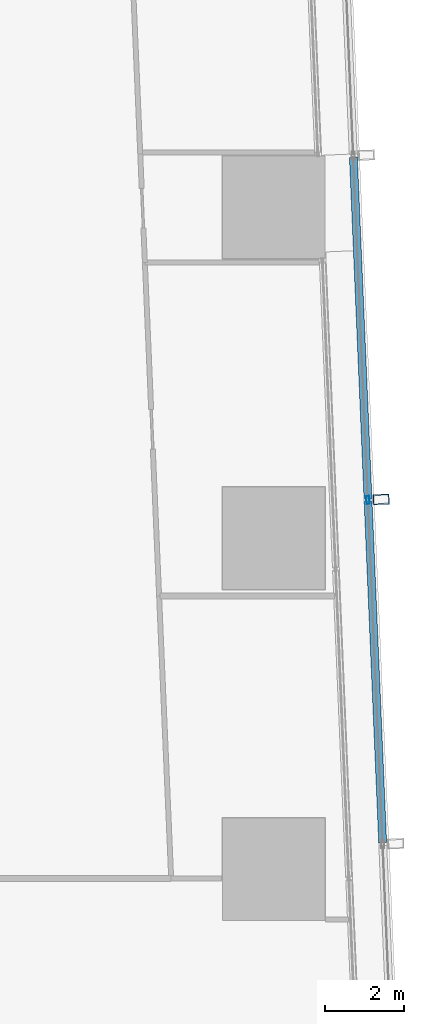
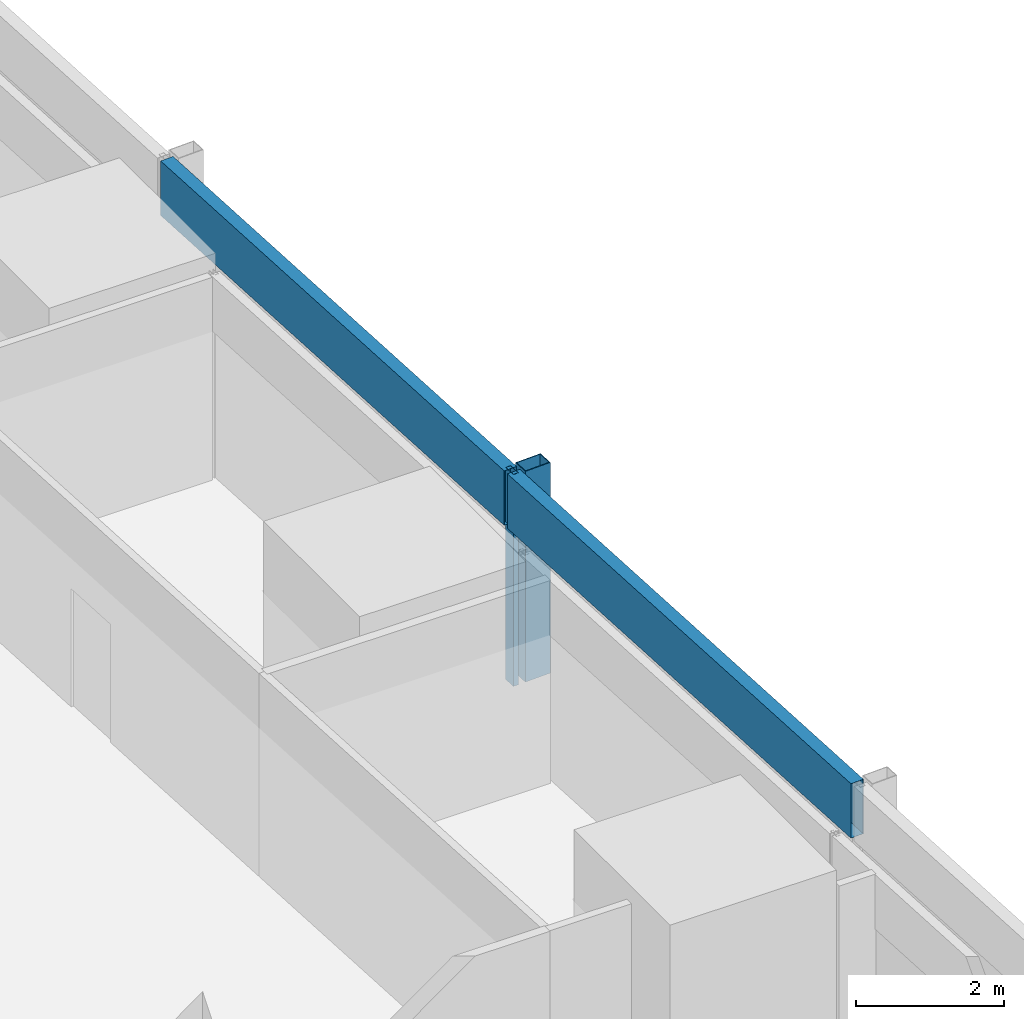
# One storey, part 28 of 46: 4 members, 1 element without a shape of its own.
"""IFC4 building model written with IfcOpenShell, lengths in metres."""

from ifc_helpers import new_model, si_unit, direction, frame, origin, origin_2d, place, context, subcontext, project, spatial, hollow_rectangle, extrude, material, material_profile, profile_set, type_object, element, aggregate, save


model = new_model("IFC4")

# Units and contexts
model_context = context("Model", 3, precision=1e-05, world=origin(), true_north=direction((0.0, 1.0)))
body_context = subcontext(model_context, "Body", "Model", "MODEL_VIEW")
ifc_project = project(units=[si_unit("LENGTHUNIT", "METRE"), si_unit("AREAUNIT", "SQUARE_METRE"), si_unit("VOLUMEUNIT", "CUBIC_METRE"), si_unit("PLANEANGLEUNIT", "RADIAN"), si_unit("MASSUNIT", "GRAM", prefix="KILO")], contexts=[model_context])

# Site, building, storey
site_placement = place(None, origin())
site = spatial("IfcSite", under=ifc_project, at=site_placement, CompositionType="ELEMENT")
building_placement = place(site_placement, origin())
building = spatial("IfcBuilding", under=site, at=building_placement, Name="Rekha Terrace Tower", CompositionType="ELEMENT")
storey_placement = place(building_placement, frame((0.0, 0.0, 29.14990234375)))
storey = spatial("IfcBuildingStorey", under=building, at=storey_placement, Name="L06", CompositionType="ELEMENT", Elevation=29.14990234375)

# Curtain wall, members
ifc_material_1 = material(Name="Aluminium framing", Category="aluminium")
curtain_wall_type = type_object("IfcCurtainWallType", Name="CW2 double skin outer glazing", PredefinedType="USERDEFINED", material=ifc_material_1)
curtain_wall_placement = place(storey_placement, origin())
curtain_wall = element("IfcCurtainWall", 1, at=curtain_wall_placement, inside=storey, type_object=curtain_wall_type, Name="CW2 double skin outer glazing", ObjectType="DOUBLE SKIN OUTER GLAZING", PredefinedType="USERDEFINED")
ifc_material_2 = material(Name="Steel S355 with fluorocarbon finish", Category="steel")
ifc_material_profile_1 = material_profile(ifc_material_2, hollow_rectangle(XDim=0.25, YDim=0.39990234375, WallThickness=0.012451171875, at=origin_2d()), Name="RHS400x250x12.5")
ifc_profile_set_1 = profile_set([ifc_material_profile_1], Name="Steel S355 with fluorocarbon finish")
member_type_1 = type_object("IfcMemberType", Name="BL1 facade blade RHS 400 x 250", PredefinedType="USERDEFINED", material=ifc_profile_set_1)
member_1_placement = place(storey_placement, frame((69.927734375, 42.989013671875, 0.02001953125), z_axis=(0.0, 0.0, 1.0), x_axis=(-0.04269522475, 0.99908814315, 0.0)))
member_1 = element("IfcMember", 2, at=member_1_placement, type_object=member_type_1, Name="Facade blade", ObjectType="FACADE BLADE", PredefinedType="USERDEFINED", context=body_context, shape_type="SweptSolid", body=[
    extrude(hollow_rectangle(XDim=0.25, YDim=0.39990234375, WallThickness=0.012451171875, at=origin_2d()), origin(), (0.0, 0.0, 1.0), 3.47998046875),
])
ifc_material_3 = material(Name="Aluminium mullion section", Category="aluminium")
ifc_material_profile_2 = material_profile(ifc_material_3, hollow_rectangle(XDim=0.080078125, YDim=0.199951171875, WallThickness=0.00390625, at=origin_2d()), Name="AL RHS 80x200")
ifc_profile_set_2 = profile_set([ifc_material_profile_2], Name="Aluminium mullion section")
member_type_2 = type_object("IfcMemberType", Name="CW2 mullion RHS 80 x 200", PredefinedType="MULLION", material=ifc_profile_set_2)
member_2_placement = place(storey_placement, frame((69.593017578125, 42.974609375, 0.0), z_axis=(0.0, 0.0, 1.0), x_axis=(-0.999088106903, -0.042696072956, 0.0)))
member_2 = element("IfcMember", 3, at=member_2_placement, type_object=member_type_2, Name="CW2 mullion 3", PredefinedType="MULLION", context=body_context, shape_type="SweptSolid", body=[
    extrude(hollow_rectangle(XDim=0.080078125, YDim=0.199951171875, WallThickness=0.00390625, at=origin_2d()), origin(), (0.0, 0.0, 1.0), 3.5),
])
ifc_material_4 = material(Name="Insulated aluminium spandrel box", Category="aluminium")
ifc_material_profile_3 = material_profile(ifc_material_4, hollow_rectangle(XDim=0.199951171875, YDim=0.89990234375, WallThickness=0.0029296875, at=origin_2d()), Name="AL SPANDREL BOX 200x900")
ifc_profile_set_3 = profile_set([ifc_material_profile_3], Name="Insulated aluminium spandrel box")
member_type_3 = type_object("IfcMemberType", Name="CW2 spandrel transom 200 x 900", PredefinedType="USERDEFINED", material=ifc_profile_set_3)
member_3_placement = place(storey_placement, frame((69.964599609375, 34.27880859375, 3.050048828125), z_axis=(-0.042692466729, 0.999088261008, 0.0), x_axis=(-0.999088261008, -0.042692466729, 0.0)))
member_3 = element("IfcMember", 4, at=member_3_placement, type_object=member_type_3, Name="CW2 spandrel transom 2", ObjectType="TRANSOM", PredefinedType="USERDEFINED", context=body_context, shape_type="SweptSolid", body=[
    extrude(hollow_rectangle(XDim=0.199951171875, YDim=0.89990234375, WallThickness=0.0029296875, at=origin_2d()), origin(), (0.0, 0.0, 1.0), 8.66357421875),
])
member_4_placement = place(storey_placement, frame((69.59130859375, 43.014404296875, 3.050048828125), z_axis=(-0.042691264793, 0.999088312368, 0.0), x_axis=(-0.999088312368, -0.042691264793, 0.0)))
member_4 = element("IfcMember", 5, at=member_4_placement, type_object=member_type_3, Name="CW2 spandrel transom 3", ObjectType="TRANSOM", PredefinedType="USERDEFINED", context=body_context, shape_type="SweptSolid", body=[
    extrude(hollow_rectangle(XDim=0.199951171875, YDim=0.89990234375, WallThickness=0.0029296875, at=origin_2d()), origin(), (0.0, 0.0, 1.0), 8.663818359375),
])
aggregate(curtain_wall, [member_2, member_3, member_4, member_1])

save(model, "model.ifc")
